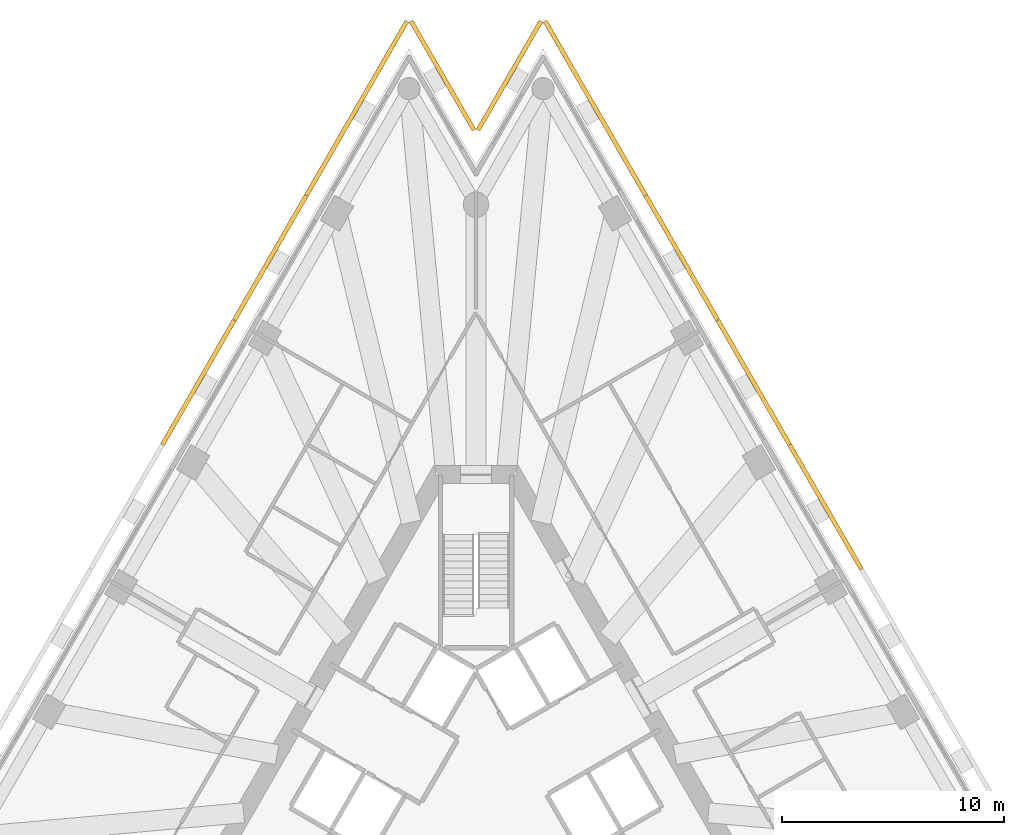
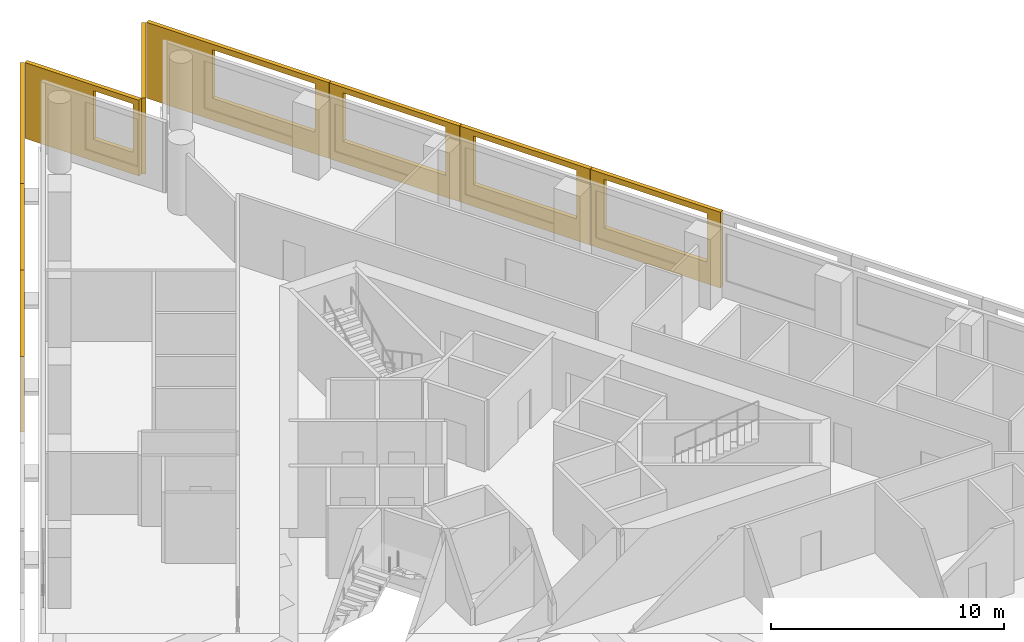
# One storey, part 9 of 9: 9 shading devices.
"""IFC4 building model written with IfcOpenShell, lengths in metres."""

import ifcopenshell
import ifcopenshell.guid

model = None  # the IFC model being written
_history = None  # IfcOwnerHistory: only IFC2X3 demands one
_inside = {}  # id of a spatial element -> (the spatial element, [elements in it])
_under = {}  # id of a project, library or spatial element -> (it, [spatial elements below it])
_declared = {}  # id of a project -> (the project, [libraries it declares])
_typed = {}  # id of a type object -> (the type object, [elements of that type])
_made_of = {}  # id of a material, layer set ... -> (it, [elements and type objects made of it])


def new_model(schema):
    """Start an empty IFC model of exactly this schema.

    Asked for "IFC4X3", IfcOpenShell would pick the latest addendum, in which some entities
    have other attributes; the version numbers below select the first issue.
    IFC2X3 requires an IfcOwnerHistory on every rooted entity: one is made here for all.
    """
    global model, _history
    if schema == "IFC4X3":
        model = ifcopenshell.file(schema_version=(4, 3, 0, 0))
    else:
        model = ifcopenshell.file(schema=schema)
    _inside.clear()
    _under.clear()
    _declared.clear()
    _typed.clear()
    _made_of.clear()
    _history = None
    if model.schema == "IFC2X3":
        org = make("IfcOrganization", Name="unknown")
        user = make(
            "IfcPersonAndOrganization",
            ThePerson=make("IfcPerson", FamilyName="unknown"),
            TheOrganization=org,
        )
        app = make(
            "IfcApplication",
            ApplicationDeveloper=org,
            Version="unknown",
            ApplicationFullName="unknown",
            ApplicationIdentifier="unknown",
        )
        _history = make(
            "IfcOwnerHistory",
            OwningUser=user,
            OwningApplication=app,
            ChangeAction="ADDED",
            CreationDate=0,
        )
    return model


def make(cls, **values):
    """One entity of the class cls with the attributes given. An attribute that is None is left unset."""
    return model.create_entity(
        cls, **{name: value for name, value in values.items() if value is not None}
    )


def rooted(cls, **values):
    """An entity with a GlobalId (a new one), such as an element, a storey or a relation."""
    return make(cls, GlobalId=ifcopenshell.guid.new(), OwnerHistory=_history, **values)


def si_unit(unit_type, name, prefix=None):
    """IfcSIUnit, for example si_unit("LENGTHUNIT", "METRE", prefix="MILLI")."""
    return make("IfcSIUnit", UnitType=unit_type, Prefix=prefix, Name=name)


def assignment(units):
    """IfcUnitAssignment: the units of a project."""
    return None if units is None else make("IfcUnitAssignment", Units=units)


def point(xyz):
    """IfcCartesianPoint."""
    return None if xyz is None else make("IfcCartesianPoint", Coordinates=xyz)


def direction(xyz):
    """IfcDirection."""
    return None if xyz is None else make("IfcDirection", DirectionRatios=xyz)


def frame(location, z_axis=None, x_axis=None):
    """IfcAxis2Placement3D, a coordinate frame: its origin and axes. An axis left out is left unset."""
    return make(
        "IfcAxis2Placement3D",
        Location=point(location),
        Axis=direction(z_axis),
        RefDirection=direction(x_axis),
    )


def origin():
    """The frame at (0, 0, 0) with its axes left unset."""
    return frame((0.0, 0.0, 0.0))


def place(relative_to, where):
    """IfcLocalPlacement: puts the frame where relative to a parent placement (None: the world)."""
    return make(
        "IfcLocalPlacement", PlacementRelTo=relative_to, RelativePlacement=where
    )


def context(
    kind, dimensions, precision=None, world=None, true_north=None, identifier=None
):
    """IfcGeometricRepresentationContext, for example the 3D "Model" context."""
    return make(
        "IfcGeometricRepresentationContext",
        ContextIdentifier=identifier,
        ContextType=kind,
        CoordinateSpaceDimension=dimensions,
        Precision=precision,
        WorldCoordinateSystem=world,
        TrueNorth=true_north,
    )


def subcontext(parent, identifier, kind, view, scale=None):
    """IfcGeometricRepresentationSubContext, for example "Body" below "Model"."""
    return make(
        "IfcGeometricRepresentationSubContext",
        ContextIdentifier=identifier,
        ContextType=kind,
        ParentContext=parent,
        TargetScale=scale,
        TargetView=view,
    )


def project(units=None, contexts=None):
    """IfcProject with its units and contexts."""
    return rooted(
        "IfcProject",
        Name="project",
        RepresentationContexts=contexts,
        UnitsInContext=assignment(units),
    )


def spatial(cls, under=None, at=None, **own):
    """A site, building, storey or space (cls), placed at a placement, below another one or the project."""
    s = rooted(cls, ObjectPlacement=at, **own)
    if under is not None:
        _under.setdefault(under.id(), (under, []))[1].append(s)
    return s


def polyline(points):
    """IfcPolyline through the points."""
    return make("IfcPolyline", Points=[point(p) for p in points])


def outline(outer, holes=None, kind="AREA"):
    """IfcArbitraryClosedProfileDef: a profile drawn as a closed curve; with holes, ...WithVoids."""
    if holes is None:
        return make("IfcArbitraryClosedProfileDef", ProfileType=kind, OuterCurve=outer)
    return make(
        "IfcArbitraryProfileDefWithVoids",
        ProfileType=kind,
        OuterCurve=outer,
        InnerCurves=holes,
    )


def extrude(swept, where, along, depth):
    """IfcExtrudedAreaSolid: the profile swept, set in the frame where, extruded along a direction by depth."""
    return make(
        "IfcExtrudedAreaSolid",
        SweptArea=swept,
        Position=where,
        ExtrudedDirection=direction(along),
        Depth=depth,
    )


def shape(context_of_items, identifier, shape_type, items):
    """IfcShapeRepresentation: the items that make up one representation, for example the "Body"."""
    return make(
        "IfcShapeRepresentation",
        ContextOfItems=context_of_items,
        RepresentationIdentifier=identifier,
        RepresentationType=shape_type,
        Items=items,
    )


def material(Name=None, Category=None):
    """IfcMaterial."""
    return make("IfcMaterial", Name=Name, Category=Category)


def layer(
    of_material, thickness, ventilated=None, Name=None, Category=None, Priority=None
):
    """IfcMaterialLayer: one layer of a wall or slab, of a material (None: an air gap)."""
    return make(
        "IfcMaterialLayer",
        Material=of_material,
        LayerThickness=thickness,
        IsVentilated=ventilated,
        Name=Name,
        Category=Category,
        Priority=Priority,
    )


def layer_set(layers, Name=None):
    """IfcMaterialLayerSet."""
    return make("IfcMaterialLayerSet", MaterialLayers=layers, LayerSetName=Name)


def made_of(thing, what):
    """Note that an element or type object is made of a material, layer set ...; save() writes the relation."""
    if what is not None:
        _made_of.setdefault(what.id(), (what, []))[1].append(thing)
    return thing


def type_object(cls, material=None, **own):
    """A type object (cls), such as IfcWallType, which elements share."""
    return made_of(rooted(cls, **own), material)


def element(
    cls,
    number,
    at=None,
    inside=None,
    cuts=None,
    type_object=None,
    material=None,
    context=None,
    identifier="Body",
    shape_type=None,
    held_by="IfcProductDefinitionShape",
    body=None,
    shapes=None,
    **own,
):
    """One element of the class cls, such as IfcWall. Its Tag is "e" and its number.

    at: its placement. inside: the storey or other place that contains it. cuts: it is an
    opening in that element (IfcRelVoidsElement). A single representation is given by context,
    identifier, shape_type and body (its items); several are given by shapes. held_by: the class
    of the entity that holds the representations. save() writes the other relations.
    """
    e = rooted(cls, Tag="e%d" % number, ObjectPlacement=at, **own)
    if body is not None:
        shapes = [shape(context, identifier, shape_type, body)]
    if shapes is not None:
        e.Representation = make(held_by, Representations=shapes)
    if inside is not None:
        _inside.setdefault(inside.id(), (inside, []))[1].append(e)
    if cuts is not None:
        rooted(
            "IfcRelVoidsElement", RelatingBuildingElement=cuts, RelatedOpeningElement=e
        )
    if type_object is not None:
        _typed.setdefault(type_object.id(), (type_object, []))[1].append(e)
    return made_of(e, material)


def aggregate(whole, parts):
    """IfcRelAggregates: a whole, such as a stair, and the parts it consists of."""
    return rooted("IfcRelAggregates", RelatingObject=whole, RelatedObjects=parts)


def save(model, path):
    """Write the relations noted so far, then the file.

    IfcRelAggregates (storeys below a building ...), IfcRelContainedInSpatialStructure (elements
    in a storey), IfcRelDefinesByType, IfcRelAssociatesMaterial and IfcRelDeclares: one each for
    every whole, place, type object, material and project.
    """
    for whole, parts in _under.values():
        aggregate(whole, parts)
    for where, things in _inside.values():
        rooted(
            "IfcRelContainedInSpatialStructure",
            RelatedElements=things,
            RelatingStructure=where,
        )
    for kind, things in _typed.values():
        rooted("IfcRelDefinesByType", RelatedObjects=things, RelatingType=kind)
    for what, things in _made_of.values():
        rooted("IfcRelAssociatesMaterial", RelatedObjects=things, RelatingMaterial=what)
    for by, libraries in _declared.values():
        rooted("IfcRelDeclares", RelatingContext=by, RelatedDefinitions=libraries)
    model.write(path)


model = new_model("IFC4")

# Units and contexts
model_context = context("Model", 3, precision=1e-05, world=origin(), true_north=direction((0.0, 1.0)))
body_context = subcontext(model_context, "Body", "Model", "MODEL_VIEW")
ifc_project = project(units=[si_unit("LENGTHUNIT", "METRE"), si_unit("AREAUNIT", "SQUARE_METRE"), si_unit("VOLUMEUNIT", "CUBIC_METRE"), si_unit("PLANEANGLEUNIT", "RADIAN"), si_unit("MASSUNIT", "GRAM", prefix="KILO")], contexts=[model_context])

# Site, building, storey
site_placement = place(None, origin())
site = spatial("IfcSite", under=ifc_project, at=site_placement, CompositionType="ELEMENT")
building_placement = place(site_placement, origin())
building = spatial("IfcBuilding", under=site, at=building_placement, Name="Triada Interchange Tower", CompositionType="ELEMENT")
storey_placement = place(building_placement, frame((0.0, 0.0, 172.300048828125)))
storey = spatial("IfcBuildingStorey", under=building, at=storey_placement, Name="L40", CompositionType="ELEMENT", Elevation=172.300048828125)

# Shading devices
ifc_material = material(Name="Concrete C50/60 precast", Category="concrete")
ifc_layer_1 = layer(ifc_material, 0.02001953125, Name="Exposed aggregate face")
ifc_layer_2 = layer(ifc_material, 0.179931640625, Name="Precast concrete screen")
ifc_layer_set = layer_set([ifc_layer_1, ifc_layer_2], Name="Outer skin screen panel 3980")
shading_device_type = type_object("IfcShadingDeviceType", Name="Outer skin screen panel 3980", PredefinedType="SHUTTER", material=ifc_layer_set)
shading_device_1_placement = place(storey_placement, frame((-3.02197265625, 34.673095703125, -0.2900390625), z_axis=(0.0, 0.0, 1.0), x_axis=(-0.500002365587, -0.866024038008, 0.0)))
element("IfcShadingDevice", 1, at=shading_device_1_placement, inside=storey, type_object=shading_device_type, Name="Outer skin screen panel L40 01", PredefinedType="SHUTTER", context=body_context, shape_type="SweptSolid", body=[
    extrude(outline(polyline([(0.0, 0.0), (9.06005859375, 0.0), (9.06005859375, 3.97998046875), (0.0, 3.97998046875), (0.0, 0.0)]), holes=[polyline([(3.279541015625, 1.139892578125), (3.279541015625, 3.68994140625), (8.379638671875, 3.68994140625), (8.379638671875, 1.139892578125), (3.279541015625, 1.139892578125)])]), frame((0.0, 0.0, 0.0), z_axis=(0.0, -1.0, 0.0), x_axis=(1.0, 0.0, 0.0)), (0.0, 0.0, 1.0), 0.199951171875),
])
shading_device_2_placement = place(storey_placement, frame((-7.56201171875, 26.81005859375, -0.2900390625), z_axis=(0.0, 0.0, 1.0), x_axis=(-0.499933919793, -0.866063551849, 0.0)))
element("IfcShadingDevice", 2, at=shading_device_2_placement, inside=storey, type_object=shading_device_type, Name="Outer skin screen panel L40 02", PredefinedType="SHUTTER", context=body_context, shape_type="SweptSolid", body=[
    extrude(outline(polyline([(0.0, 0.0), (6.462646484375, 0.0), (6.462646484375, 3.97998046875), (0.0, 3.97998046875), (0.0, 0.0)]), holes=[polyline([(0.681396484375, 1.139892578125), (0.681396484375, 3.68994140625), (5.78125, 3.68994140625), (5.78125, 1.139892578125), (0.681396484375, 1.139892578125)])]), frame((0.0, 0.0, 0.0), z_axis=(0.0, -1.0, 0.0), x_axis=(1.0, 0.0, 0.0)), (0.0, 0.0, 1.0), 0.199951171875),
])
shading_device_3_placement = place(storey_placement, frame((-10.802978515625, 21.196044921875, -0.2900390625), z_axis=(0.0, 0.0, 1.0), x_axis=(-0.499950276492, -0.866054109762, 0.0)))
element("IfcShadingDevice", 3, at=shading_device_3_placement, inside=storey, type_object=shading_device_type, Name="Outer skin screen panel L40 03", PredefinedType="SHUTTER", context=body_context, shape_type="SweptSolid", body=[
    extrude(outline(polyline([(0.0, 0.0), (6.462646484375, 0.0), (6.462646484375, 3.97998046875), (0.0, 3.97998046875), (0.0, 0.0)]), holes=[polyline([(0.68115234375, 1.139892578125), (0.68115234375, 3.68994140625), (5.781005859375, 3.68994140625), (5.781005859375, 1.139892578125), (0.68115234375, 1.139892578125)])]), frame((0.0, 0.0, 0.0), z_axis=(0.0, -1.0, 0.0), x_axis=(1.0, 0.0, 0.0)), (0.0, 0.0, 1.0), 0.199951171875),
])
shading_device_4_placement = place(storey_placement, frame((17.27587890625, 9.986083984375, -0.2900390625), z_axis=(0.0, 0.0, 1.0), x_axis=(-0.500129044967, 0.865950886818, 0.0)))
element("IfcShadingDevice", 4, at=shading_device_4_placement, inside=storey, type_object=shading_device_type, Name="Outer skin screen panel L40 25", PredefinedType="SHUTTER", context=body_context, shape_type="SweptSolid", body=[
    extrude(outline(polyline([(0.0, 0.0), (6.462158203125, 0.0), (6.462158203125, 3.97998046875), (0.0, 3.97998046875), (0.0, 0.0)]), holes=[polyline([(0.681396484375, 1.139892578125), (0.681396484375, 3.68994140625), (5.781494140625, 3.68994140625), (5.781494140625, 1.139892578125), (0.681396484375, 1.139892578125)])]), frame((0.0, 0.0, 0.0), z_axis=(0.0, -1.0, 0.0), x_axis=(1.0, 0.0, 0.0)), (0.0, 0.0, 1.0), 0.199951171875),
])
shading_device_5_placement = place(storey_placement, frame((14.033935546875, 15.59912109375, -0.2900390625), z_axis=(0.0, 0.0, 1.0), x_axis=(-0.499950276492, 0.866054109762, 0.0)))
element("IfcShadingDevice", 5, at=shading_device_5_placement, inside=storey, type_object=shading_device_type, Name="Outer skin screen panel L40 26", PredefinedType="SHUTTER", context=body_context, shape_type="SweptSolid", body=[
    extrude(outline(polyline([(0.0, 0.0), (6.462646484375, 0.0), (6.462646484375, 3.97998046875), (0.0, 3.97998046875), (0.0, 0.0)]), holes=[polyline([(0.68115234375, 1.139892578125), (0.68115234375, 3.68994140625), (5.78125, 3.68994140625), (5.78125, 1.139892578125), (0.68115234375, 1.139892578125)])]), frame((0.0, 0.0, 0.0), z_axis=(0.0, -1.0, 0.0), x_axis=(1.0, 0.0, 0.0)), (0.0, 0.0, 1.0), 0.199951171875),
])
shading_device_6_placement = place(storey_placement, frame((10.79296875, 21.212890625, -0.2900390625), z_axis=(0.0, 0.0, 1.0), x_axis=(-0.499933919793, 0.866063551849, 0.0)))
element("IfcShadingDevice", 6, at=shading_device_6_placement, inside=storey, type_object=shading_device_type, Name="Outer skin screen panel L40 27", PredefinedType="SHUTTER", context=body_context, shape_type="SweptSolid", body=[
    extrude(outline(polyline([(0.0, 0.0), (6.462646484375, 0.0), (6.462646484375, 3.97998046875), (0.0, 3.97998046875), (0.0, 0.0)]), holes=[polyline([(0.680908203125, 1.139892578125), (0.680908203125, 3.68994140625), (5.781005859375, 3.68994140625), (5.781005859375, 1.139892578125), (0.680908203125, 1.139892578125)])]), frame((0.0, 0.0, 0.0), z_axis=(0.0, -1.0, 0.0), x_axis=(1.0, 0.0, 0.0)), (0.0, 0.0, 1.0), 0.199951171875),
])
shading_device_7_placement = place(storey_placement, frame((7.552001953125, 26.826904296875, -0.2900390625), z_axis=(0.0, 0.0, 1.0), x_axis=(-0.500002365587, 0.866024038008, 0.0)))
element("IfcShadingDevice", 7, at=shading_device_7_placement, inside=storey, type_object=shading_device_type, Name="Outer skin screen panel L40 28", PredefinedType="SHUTTER", context=body_context, shape_type="SweptSolid", body=[
    extrude(outline(polyline([(0.0, 0.0), (9.06005859375, 0.0), (9.06005859375, 3.97998046875), (0.0, 3.97998046875), (0.0, 0.0)]), holes=[polyline([(0.6806640625, 1.139892578125), (0.6806640625, 3.68994140625), (5.78076171875, 3.68994140625), (5.78076171875, 1.139892578125), (0.6806640625, 1.139892578125)])]), frame((0.0, 0.0, 0.0), z_axis=(0.0, -1.0, 0.0), x_axis=(1.0, 0.0, 0.0)), (0.0, 0.0, 1.0), 0.199951171875),
])
shading_device_8_placement = place(storey_placement, frame((3.011962890625, 34.673095703125, -0.2900390625), z_axis=(0.0, 0.0, 1.0), x_axis=(-0.50012397912, -0.865953812572, 0.0)))
element("IfcShadingDevice", 8, at=shading_device_8_placement, inside=storey, type_object=shading_device_type, Name="Outer skin screen panel L40 29", PredefinedType="SHUTTER", context=body_context, shape_type="SweptSolid", body=[
    extrude(outline(polyline([(0.0, 0.0), (5.66650390625, 0.0), (5.66650390625, 3.97998046875), (0.0, 3.97998046875), (0.0, 0.0)]), holes=[polyline([(3.175537109375, 1.139892578125), (3.175537109375, 3.68994140625), (5.3671875, 3.68994140625), (5.3671875, 1.139892578125), (3.175537109375, 1.139892578125)])]), frame((0.0, 0.0, 0.0), z_axis=(0.0, -1.0, 0.0), x_axis=(1.0, 0.0, 0.0)), (0.0, 0.0, 1.0), 0.199951171875),
])
shading_device_9_placement = place(storey_placement, frame((-0.177978515625, 29.76611328125, -0.2900390625), z_axis=(0.0, 0.0, 1.0), x_axis=(-0.50012397912, 0.865953812572, 0.0)))
element("IfcShadingDevice", 9, at=shading_device_9_placement, inside=storey, type_object=shading_device_type, Name="Outer skin screen panel L40 30", PredefinedType="SHUTTER", context=body_context, shape_type="SweptSolid", body=[
    extrude(outline(polyline([(0.0, 0.0), (5.66650390625, 0.0), (5.66650390625, 3.97998046875), (0.0, 3.97998046875), (0.0, 0.0)]), holes=[polyline([(0.300048828125, 1.139892578125), (0.300048828125, 3.68994140625), (2.2578125, 3.68994140625), (2.2578125, 1.139892578125), (0.300048828125, 1.139892578125)])]), frame((0.0, 0.0, 0.0), z_axis=(0.0, -1.0, 0.0), x_axis=(1.0, 0.0, 0.0)), (0.0, 0.0, 1.0), 0.199951171875),
])

save(model, "model.ifc")
